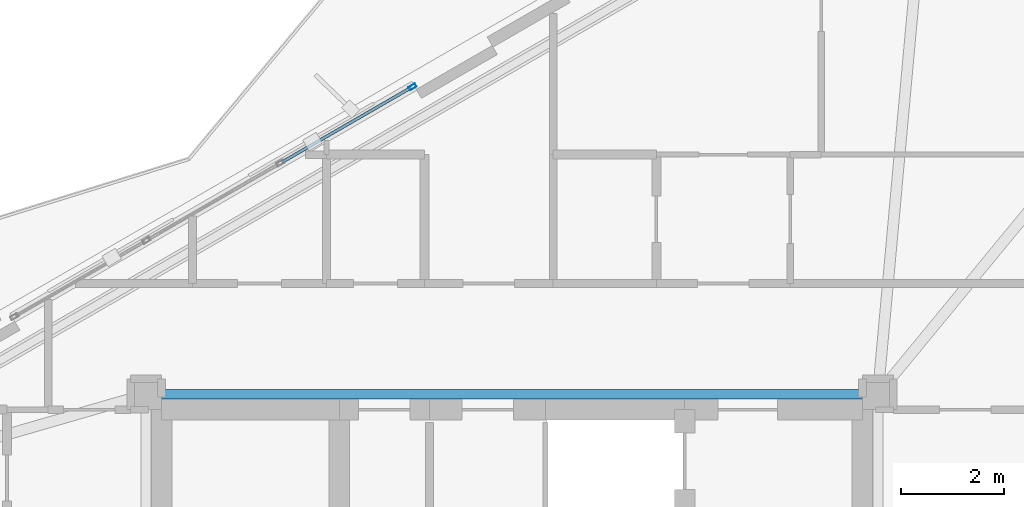
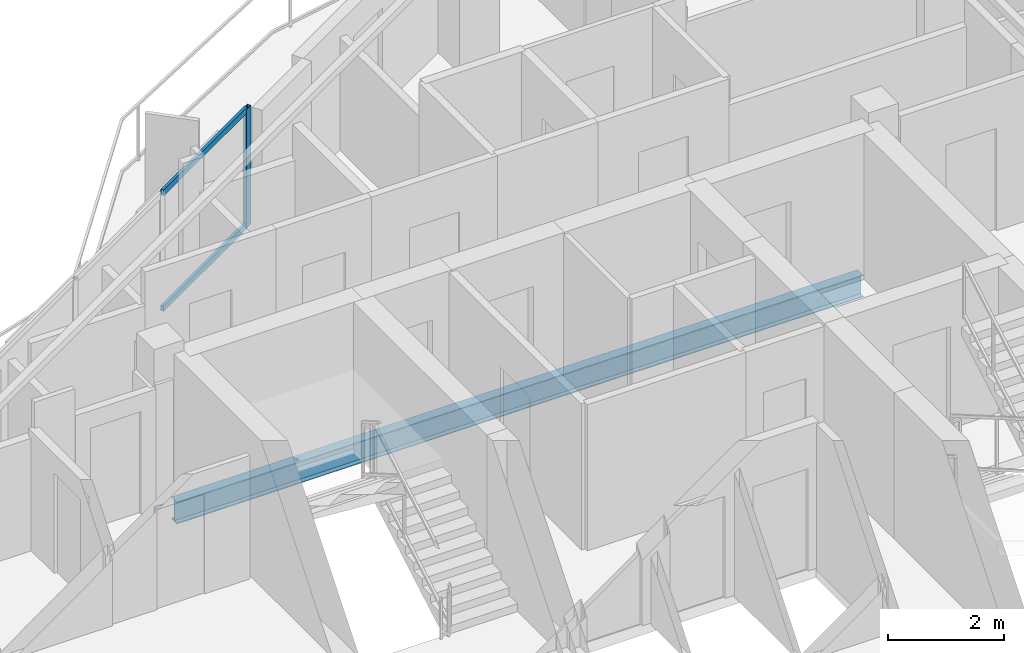
# One storey, part 14 of 22: 3 members, 1 beam, 1 element without a shape of its own.
"""IFC4 building model written with IfcOpenShell, lengths in metres."""

from ifc_helpers import new_model, si_unit, direction, frame, origin, origin_2d, place, context, subcontext, project, spatial, hollow_rectangle, i_section, extrude, material, layer, layer_set, material_profile, profile_set, type_object, element, aggregate, save


model = new_model("IFC4")

# Units and contexts
model_context = context("Model", 3, precision=1e-05, world=origin(), true_north=direction((0.0, 1.0)))
body_context = subcontext(model_context, "Body", "Model", "MODEL_VIEW")
ifc_project = project(units=[si_unit("LENGTHUNIT", "METRE"), si_unit("AREAUNIT", "SQUARE_METRE"), si_unit("VOLUMEUNIT", "CUBIC_METRE"), si_unit("PLANEANGLEUNIT", "RADIAN"), si_unit("MASSUNIT", "GRAM", prefix="KILO")], contexts=[model_context])

# Site, building, storey
site_placement = place(None, origin())
site = spatial("IfcSite", under=ifc_project, at=site_placement, CompositionType="ELEMENT")
building_placement = place(site_placement, origin())
building = spatial("IfcBuilding", under=site, at=building_placement, Name="Mersakhor Tower and Convention Hall", CompositionType="ELEMENT")
storey_placement = place(building_placement, frame((0.0, 0.0, 198.60009765625)))
storey = spatial("IfcBuildingStorey", under=building, at=storey_placement, Name="L55", CompositionType="ELEMENT", Elevation=198.60009765625)

# Beam
ifc_material_1 = material(Name="Steel S355", Category="steel")
ifc_material_profile_1 = material_profile(ifc_material_1, i_section(OverallWidth=0.19140625, OverallDepth=0.4599609375, WebThickness=0.010009765625, FlangeThickness=0.01611328125, at=origin_2d()), Name="UB 457x191x82")
ifc_profile_set_1 = profile_set([ifc_material_profile_1], Name="Steel S355")
beam_type = type_object("IfcBeamType", Name="BM-FB-457", PredefinedType="BEAM", material=ifc_profile_set_1)
beam_placement = place(storey_placement, frame((22.179931640625, 33.050048828125, -0.460205078125), z_axis=(1.0, 0.0, 0.0), x_axis=(0.0, 1.0, 0.0)))
element("IfcBeam", 1, at=beam_placement, inside=storey, type_object=beam_type, Name="L55 Core Ring Tie Beam CRB-2", PredefinedType="BEAM", context=body_context, shape_type="SweptSolid", body=[
    extrude(i_section(OverallWidth=0.19140625, OverallDepth=0.4599609375, WebThickness=0.010009765625, FlangeThickness=0.01611328125, at=origin_2d()), origin(), (0.0, 0.0, 1.0), 13.64013671875),
])

# Curtain wall, members
ifc_material_2 = material(Name="Dark solar low-E aluminium curtain wall", Category="aluminium")
ifc_layer = layer(ifc_material_2, 0.169921875)
ifc_layer_set = layer_set([ifc_layer], Name="Dark solar low-E aluminium curtain wall")
curtain_wall_type = type_object("IfcCurtainWallType", Name="CW-SYS-02", PredefinedType="USERDEFINED", material=ifc_layer_set)
curtain_wall_placement = place(storey_placement, origin())
curtain_wall = element("IfcCurtainWall", 2, at=curtain_wall_placement, inside=storey, type_object=curtain_wall_type, Name="L55 Dark-Glass Curtain Wall F1-B2", ObjectType="CURTAIN WALL", PredefinedType="USERDEFINED")
ifc_material_3 = material(Name="Anodised aluminium EN AW-6063 T6", Category="aluminium")
ifc_material_profile_2 = material_profile(ifc_material_3, hollow_rectangle(XDim=0.074951171875, YDim=0.14990234375, WallThickness=0.00634765625, at=origin_2d()), Name="RHS 150x75x6.3")
ifc_profile_set_2 = profile_set([ifc_material_profile_2], Name="Anodised aluminium EN AW-6063 T6")
member_type_1 = type_object("IfcMemberType", Name="CWM-150x75", PredefinedType="MULLION", material=ifc_profile_set_2)
member_1_placement = place(storey_placement, frame((27.06982421875, 39.016845703125, 0.199951171875), z_axis=(0.0, 0.0, 1.0), x_axis=(-0.500007824483, 0.86602088627, 0.0)))
member_1 = element("IfcMember", 3, at=member_1_placement, type_object=member_type_1, Name="CW-02 mullion 4", PredefinedType="MULLION", context=body_context, shape_type="SweptSolid", body=[
    extrude(hollow_rectangle(XDim=0.074951171875, YDim=0.14990234375, WallThickness=0.00634765625, at=origin_2d()), origin(), (0.0, 0.0, 1.0), 2.489990234375),
])
ifc_material_4 = material(Name="Anodised aluminium EN AW-6063 T6", Category="aluminium")
ifc_material_profile_3 = material_profile(ifc_material_4, hollow_rectangle(XDim=0.06005859375, YDim=0.1201171875, WallThickness=0.0048828125, at=origin_2d()), Name="RHS 120x60x5")
ifc_profile_set_3 = profile_set([ifc_material_profile_3], Name="Anodised aluminium EN AW-6063 T6")
member_type_2 = type_object("IfcMemberType", Name="CWT-120x60", PredefinedType="USERDEFINED", material=ifc_profile_set_3)
member_2_placement = place(storey_placement, frame((24.537109375, 37.554443359375, 0.22998046875), z_axis=(0.86601237176, 0.50002257145, 0.0), x_axis=(-0.50002257145, 0.86601237176, 0.0)))
member_2 = element("IfcMember", 4, at=member_2_placement, type_object=member_type_2, Name="CW-02 transom 3.1", ObjectType="TRANSOM", PredefinedType="USERDEFINED", context=body_context, shape_type="SweptSolid", body=[
    extrude(hollow_rectangle(XDim=0.06005859375, YDim=0.1201171875, WallThickness=0.0048828125, at=origin_2d()), origin(), (0.0, 0.0, 1.0), 2.886962890625),
])
member_3_placement = place(storey_placement, frame((24.537109375, 37.554443359375, 2.659912109375), z_axis=(0.86601237176, 0.50002257145, 0.0), x_axis=(-0.50002257145, 0.86601237176, 0.0)))
member_3 = element("IfcMember", 5, at=member_3_placement, type_object=member_type_2, Name="CW-02 transom 3.2", ObjectType="TRANSOM", PredefinedType="USERDEFINED", context=body_context, shape_type="SweptSolid", body=[
    extrude(hollow_rectangle(XDim=0.06005859375, YDim=0.1201171875, WallThickness=0.0048828125, at=origin_2d()), origin(), (0.0, 0.0, 1.0), 2.886962890625),
])
aggregate(curtain_wall, [member_1, member_2, member_3])

save(model, "model.ifc")
